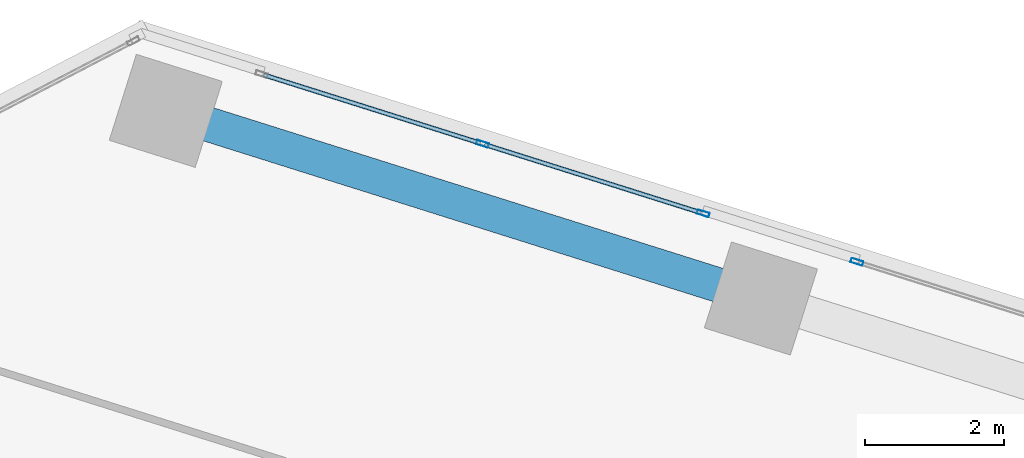
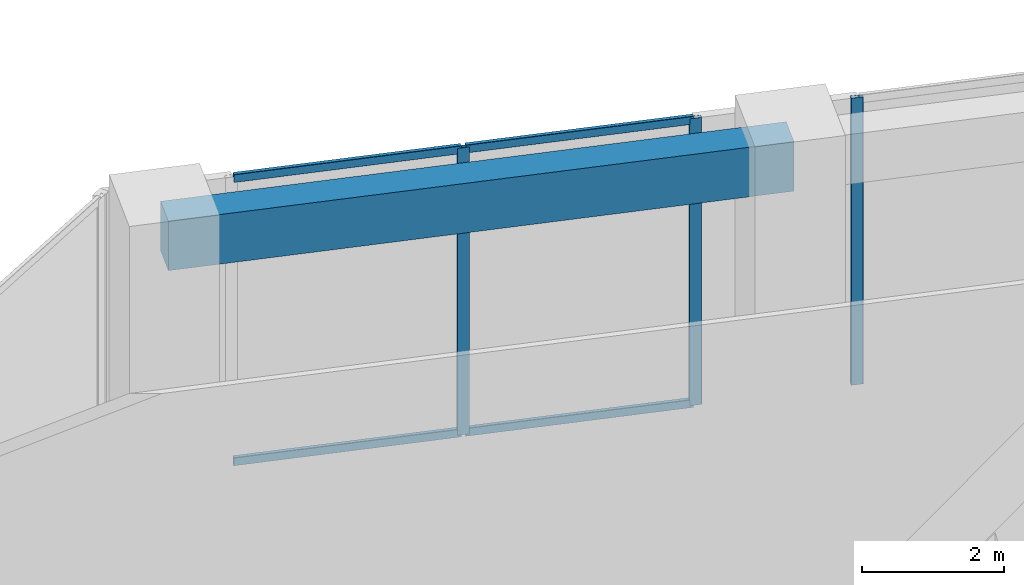
# One storey, part 16 of 28: 7 members, 1 beam, 2 elements without a shape of their own.
"""IFC4 building model written with IfcOpenShell, lengths in metres."""

from ifc_helpers import new_model, si_unit, direction, frame, origin, origin_2d, place, context, subcontext, project, spatial, rectangle, hollow_rectangle, extrude, source, transform, mapped, material, material_profile, profile_set, type_object, element, aggregate, save


model = new_model("IFC4")

# Units and contexts
model_context = context("Model", 3, precision=1e-05, world=origin(), true_north=direction((0.0, 1.0)))
body_context = subcontext(model_context, "Body", "Model", "MODEL_VIEW")
ifc_project = project(units=[si_unit("LENGTHUNIT", "METRE"), si_unit("AREAUNIT", "SQUARE_METRE"), si_unit("VOLUMEUNIT", "CUBIC_METRE"), si_unit("PLANEANGLEUNIT", "RADIAN"), si_unit("MASSUNIT", "GRAM", prefix="KILO")], contexts=[model_context])

# Site, building, storey
site_placement = place(None, origin())
site = spatial("IfcSite", under=ifc_project, at=site_placement, CompositionType="ELEMENT")
building_placement = place(site_placement, origin())
building = spatial("IfcBuilding", under=site, at=building_placement, Name="Torre Montelarca", CompositionType="ELEMENT")
storey_placement = place(building_placement, frame((0.0, 0.0, 116.800048828125)))
storey = spatial("IfcBuildingStorey", under=building, at=storey_placement, Name="L26", CompositionType="ELEMENT", Elevation=116.800048828125)

# Beam
ifc_material_1 = material(Name="Concrete C55/67", Category="concrete")
ifc_material_profile_1 = material_profile(ifc_material_1, rectangle(XDim=0.5, YDim=0.85009765625, at=origin_2d()), Name="RCB500X850", Category="concrete")
ifc_profile_set_1 = profile_set([ifc_material_profile_1], Name="Concrete C55/67")
beam_type = type_object("IfcBeamType", Name="BM-SP-RC850-EXT", PredefinedType="SPANDREL", material=ifc_profile_set_1)
shared_shape_1 = source(origin(), body_context, "Body", "SweptSolid", [
    extrude(rectangle(XDim=0.5, YDim=0.85009765625, at=origin_2d()), origin(), (0.0, 0.0, 1.0), 9.0),
])
beam_placement = place(storey_placement, frame((14.13427734375, 50.20751953125, 4.695068359375), z_axis=(0.953719088711, -0.300699018669, 0.0), x_axis=(0.300699018669, 0.953719088711, 0.0)))
element("IfcBeam", 1, at=beam_placement, inside=storey, type_object=beam_type, Name="L26 Grid Girder X 9.0-18.0 at Y=47.1", PredefinedType="SPANDREL", context=body_context, shape_type="MappedRepresentation", body=[
    mapped(shared_shape_1, transform((0.0, 0.0, 0.0), scale=1.0)),
])

# Curtain wall, members
ifc_material_2 = material(Name="Insulated low-E laminated glass", Category="glass")
curtain_wall_type = type_object("IfcCurtainWallType", Name="CW-SYS-Z1", PredefinedType="USERDEFINED", material=ifc_material_2)
curtain_wall_1_placement = place(storey_placement, origin())
curtain_wall_1 = element("IfcCurtainWall", 2, at=curtain_wall_1_placement, inside=storey, type_object=curtain_wall_type, Name="L26 Curtain Wall Run CW-T3-L26-E08-B4", ObjectType="UNITISED GLAZING", PredefinedType="USERDEFINED")
ifc_material_3 = material(Name="Anodised aluminium AA 6063-T6", Category="aluminium")
ifc_material_profile_2 = material_profile(ifc_material_3, hollow_rectangle(XDim=0.06494140625, YDim=0.139892578125, WallThickness=0.00390625, InnerFilletRadius=0.00390625, OuterFilletRadius=0.008056640625, at=origin_2d()), Name="ALU65X140X4", Category="aluminium")
ifc_profile_set_2 = profile_set([ifc_material_profile_2], Name="Anodised aluminium AA 6063-T6")
member_type_1 = type_object("IfcMemberType", Name="CWT-ALU140", PredefinedType="USERDEFINED", material=ifc_profile_set_2)
shared_shape_2 = source(origin(), body_context, "Body", "SweptSolid", [
    extrude(hollow_rectangle(XDim=0.06494140625, YDim=0.139892578125, WallThickness=0.00390625, InnerFilletRadius=0.00390625, OuterFilletRadius=0.008056640625, at=origin_2d()), origin(), (0.0, 0.0, 1.0), 3.2724609375),
])
member_1_placement = place(storey_placement, frame((21.8544921875, 48.738037109375, 0.032470703125), z_axis=(-0.953705490479, 0.30074214442, 0.0), x_axis=(-0.30074214442, -0.953705490479, 0.0)))
member_1 = element("IfcMember", 3, at=member_1_placement, type_object=member_type_1, Name="CW transom 1.1", ObjectType="TRANSOM", PredefinedType="USERDEFINED", context=body_context, shape_type="MappedRepresentation", body=[
    mapped(shared_shape_2, transform((0.0, 0.0, 0.0), scale=1.0)),
])
member_2_placement = place(storey_placement, frame((21.8544921875, 48.738037109375, 4.887451171875), z_axis=(-0.953705490479, 0.30074214442, 0.0), x_axis=(-0.30074214442, -0.953705490479, 0.0)))
member_2 = element("IfcMember", 4, at=member_2_placement, type_object=member_type_1, Name="CW transom 1.2", ObjectType="TRANSOM", PredefinedType="USERDEFINED", context=body_context, shape_type="MappedRepresentation", body=[
    mapped(shared_shape_2, transform((0.0, 0.0, 0.0), scale=1.0)),
])
member_3_placement = place(storey_placement, frame((18.671630859375, 49.74169921875, 0.032470703125), z_axis=(-0.953733631686, 0.300652889213, 0.0), x_axis=(-0.300652889213, -0.953733631686, 0.0)))
member_3 = element("IfcMember", 5, at=member_3_placement, type_object=member_type_1, Name="CW transom 2.1", ObjectType="TRANSOM", PredefinedType="USERDEFINED", context=body_context, shape_type="MappedRepresentation", body=[
    mapped(shared_shape_2, transform((0.0, 0.0, 0.0), scale=1.0)),
])
member_4_placement = place(storey_placement, frame((18.671630859375, 49.74169921875, 4.887451171875), z_axis=(-0.953733631686, 0.300652889213, 0.0), x_axis=(-0.300652889213, -0.953733631686, 0.0)))
member_4 = element("IfcMember", 6, at=member_4_placement, type_object=member_type_1, Name="CW transom 2.2", ObjectType="TRANSOM", PredefinedType="USERDEFINED", context=body_context, shape_type="MappedRepresentation", body=[
    mapped(shared_shape_2, transform((0.0, 0.0, 0.0), scale=1.0)),
])

# Curtain wall, member
curtain_wall_2_placement = place(storey_placement, origin())
curtain_wall_2 = element("IfcCurtainWall", 7, at=curtain_wall_2_placement, inside=storey, type_object=curtain_wall_type, Name="L26 Curtain Wall Run CW-T3-L26-E08-B3", ObjectType="UNITISED GLAZING", PredefinedType="USERDEFINED")
ifc_material_profile_3 = material_profile(ifc_material_3, hollow_rectangle(XDim=0.06494140625, YDim=0.179931640625, WallThickness=0.00390625, InnerFilletRadius=0.00390625, OuterFilletRadius=0.008056640625, at=origin_2d()), Name="ALU65X180X4", Category="aluminium")
ifc_profile_set_3 = profile_set([ifc_material_profile_3], Name="Anodised aluminium AA 6063-T6")
member_type_2 = type_object("IfcMemberType", Name="CWM-ALU180", PredefinedType="MULLION", material=ifc_profile_set_3)
shared_shape_3 = source(origin(), body_context, "Body", "SweptSolid", [
    extrude(hollow_rectangle(XDim=0.06494140625, YDim=0.179931640625, WallThickness=0.00390625, InnerFilletRadius=0.00390625, OuterFilletRadius=0.008056640625, at=origin_2d()), origin(), (0.0, 0.0, 1.0), 4.919921875),
])
member_5_placement = place(storey_placement, frame((24.10302734375, 48.029052734375, 0.0), z_axis=(0.0, 0.0, 1.0), x_axis=(-0.300709558589, -0.953715765505, 0.0)))
member_5 = element("IfcMember", 8, at=member_5_placement, type_object=member_type_2, Name="CW mullion 3", PredefinedType="MULLION", context=body_context, shape_type="MappedRepresentation", body=[
    mapped(shared_shape_3, transform((0.0, 0.0, 0.0), scale=1.0)),
])
aggregate(curtain_wall_2, [member_5])

# Member
member_6_placement = place(storey_placement, frame((21.885498046875, 48.728271484375, 0.0), z_axis=(0.0, 0.0, 1.0), x_axis=(-0.300696063452, -0.953720020459, 0.0)))
member_6 = element("IfcMember", 9, at=member_6_placement, type_object=member_type_2, Name="CW mullion 1", PredefinedType="MULLION", context=body_context, shape_type="MappedRepresentation", body=[
    mapped(shared_shape_3, transform((0.0, 0.0, 0.0), scale=1.0)),
])

member_7_placement = place(storey_placement, frame((18.70263671875, 49.73193359375, 0.0), z_axis=(0.0, 0.0, 1.0), x_axis=(-0.300696063452, -0.953720020459, 0.0)))
member_7 = element("IfcMember", 10, at=member_7_placement, type_object=member_type_2, Name="CW mullion 2", PredefinedType="MULLION", context=body_context, shape_type="MappedRepresentation", body=[
    mapped(shared_shape_3, transform((0.0, 0.0, 0.0), scale=1.0)),
])

aggregate(curtain_wall_1, [member_6, member_7, member_1, member_2, member_3, member_4])

save(model, "model.ifc")
